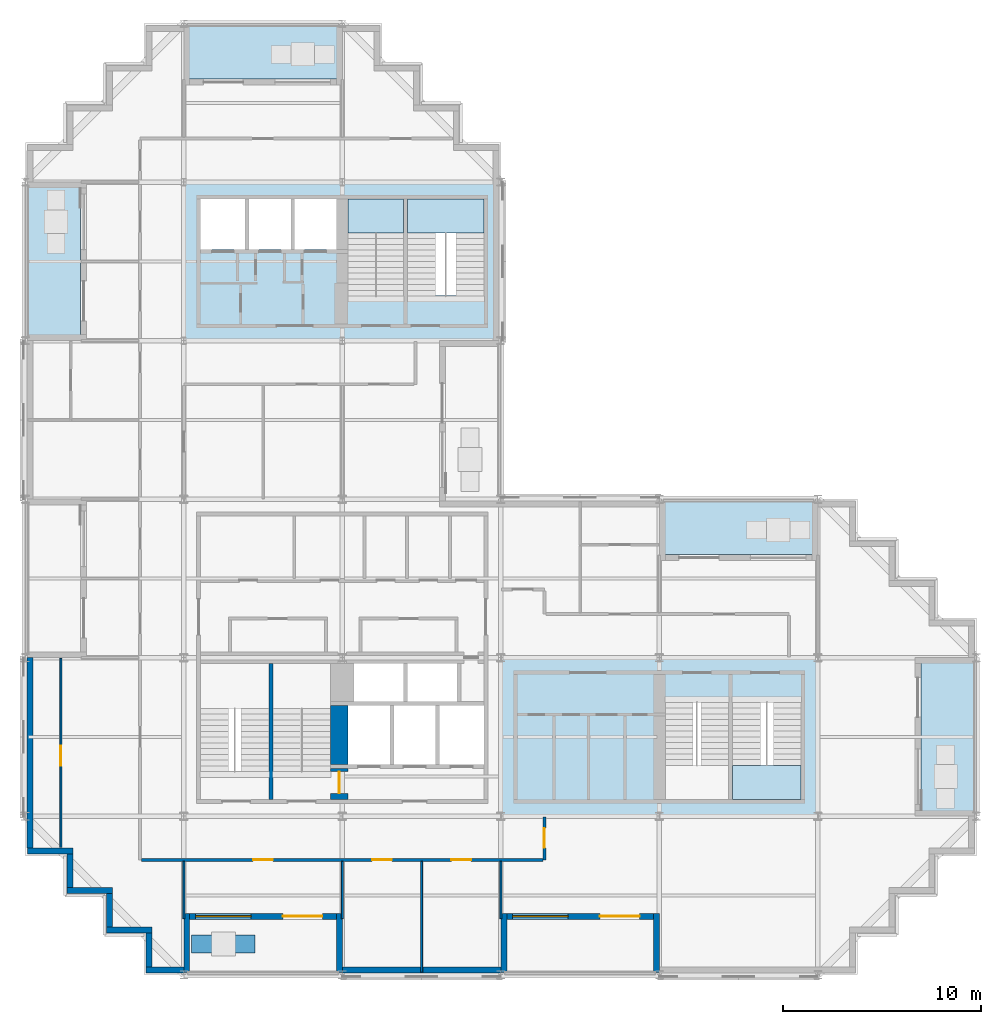
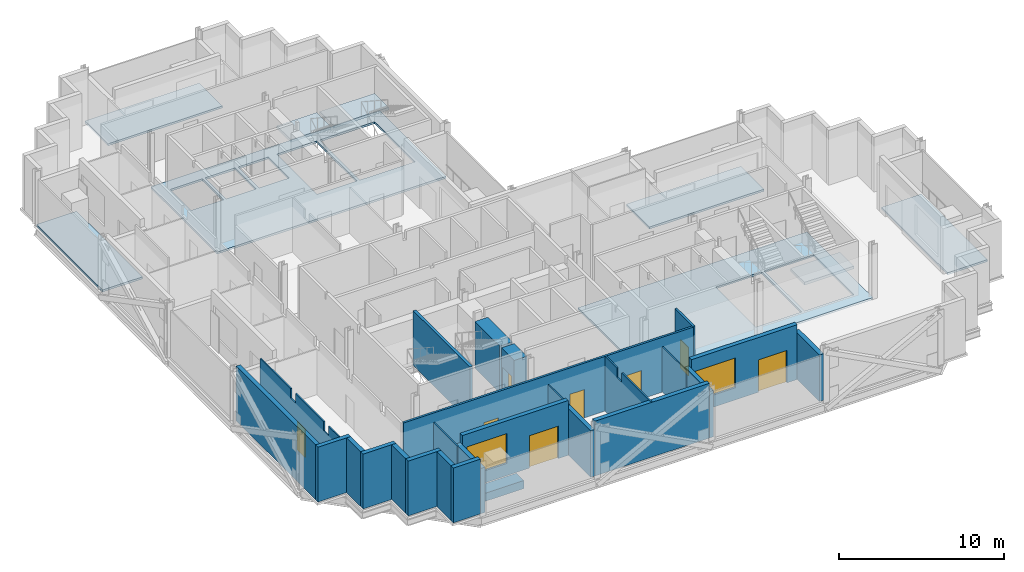
# One storey, part 4 of 13: 26 walls, 9 slabs, 8 doors, 2 windows, 10 openings, 3 elements without a shape of their own.
"""IFC4 building model written with IfcOpenShell, lengths in metres."""

from ifc_helpers import new_model, si_unit, direction, frame, frame_2d, origin, place, context, subcontext, project, spatial, polyline, rectangle, outline, extrude, material, layer, layer_set, type_object, element, fill, aggregate, save


model = new_model("IFC4")

# Units and contexts
model_context = context("Model", 3, precision=1e-05, world=origin(), true_north=direction((0.0, 1.0)))
body_context = subcontext(model_context, "Body", "Model", "MODEL_VIEW")
ifc_project = project(units=[si_unit("LENGTHUNIT", "METRE"), si_unit("AREAUNIT", "SQUARE_METRE"), si_unit("VOLUMEUNIT", "CUBIC_METRE"), si_unit("PLANEANGLEUNIT", "RADIAN"), si_unit("MASSUNIT", "GRAM", prefix="KILO")], contexts=[model_context])

# Site, building, storey
site_placement = place(None, origin())
site = spatial("IfcSite", under=ifc_project, at=site_placement, CompositionType="ELEMENT")
building_placement = place(site_placement, origin())
building = spatial("IfcBuilding", under=site, at=building_placement, Name="Immortelle Media Tower", CompositionType="ELEMENT")
storey_placement = place(building_placement, frame((0.0, 0.0, 166.199951171875)))
storey = spatial("IfcBuildingStorey", under=building, at=storey_placement, Name="L34", CompositionType="ELEMENT", Elevation=166.199951171875)

# Slabs
ifc_material_1 = material(Name="Concrete C50/60 composite deck", Category="concrete")
ifc_layer_1 = layer(ifc_material_1, 0.14990234375)
ifc_layer_set_1 = layer_set([ifc_layer_1], Name="Concrete C50/60 composite deck")
slab_type_1 = type_object("IfcSlabType", Name="Balcony slab 150", PredefinedType="FLOOR", material=ifc_layer_set_1)
slab_1_placement = place(storey_placement, frame((0.0, 0.0, -0.14990234375)))
element("IfcSlab", 1, at=slab_1_placement, inside=storey, type_object=slab_type_1, Name="Balcony slab L34 E0", PredefinedType="FLOOR", context=body_context, shape_type="SweptSolid", body=[
    extrude(outline(polyline([(48.0, 8.0), (48.0, 16.0), (45.199951171875, 16.0), (45.199951171875, 8.0), (48.0, 8.0)])), origin(), (0.0, 0.0, 1.0), 0.14990234375),
])
slab_2_placement = place(storey_placement, frame((0.0, 0.0, -0.14990234375)))
element("IfcSlab", 2, at=slab_2_placement, inside=storey, type_object=slab_type_1, Name="Balcony slab L34 N0", PredefinedType="FLOOR", context=body_context, shape_type="SweptSolid", body=[
    extrude(outline(polyline([(40.0, 21.199951171875), (40.0, 24.0), (32.0, 24.0), (32.0, 21.199951171875), (40.0, 21.199951171875)])), origin(), (0.0, 0.0, 1.0), 0.14990234375),
])
slab_3_placement = place(storey_placement, frame((0.0, 0.0, -0.14990234375)))
element("IfcSlab", 3, at=slab_3_placement, inside=storey, type_object=slab_type_1, Name="Balcony slab L34 N0", PredefinedType="FLOOR", context=body_context, shape_type="SweptSolid", body=[
    extrude(outline(polyline([(16.0, 45.199951171875), (16.0, 48.0), (8.0, 48.0), (8.0, 45.199951171875), (16.0, 45.199951171875)])), origin(), (0.0, 0.0, 1.0), 0.14990234375),
])
slab_4_placement = place(storey_placement, frame((0.0, 0.0, -0.14990234375)))
element("IfcSlab", 4, at=slab_4_placement, inside=storey, type_object=slab_type_1, Name="Balcony slab L34 W0", PredefinedType="FLOOR", context=body_context, shape_type="SweptSolid", body=[
    extrude(outline(polyline([(2.800048828125, 32.0), (2.800048828125, 40.0), (0.0, 40.0), (0.0, 32.0), (2.800048828125, 32.0)])), origin(), (0.0, 0.0, 1.0), 0.14990234375),
])
ifc_material_2 = material(Name="Concrete C50/60", Category="concrete")
ifc_layer_2 = layer(ifc_material_2, 0.14990234375)
ifc_layer_set_2 = layer_set([ifc_layer_2], Name="Concrete C50/60")
slab_type_2 = type_object("IfcSlabType", Name="Core floor slab 150", PredefinedType="FLOOR", material=ifc_layer_set_2)
slab_5_placement = place(storey_placement, frame((0.0, 0.0, -0.14990234375)))
element("IfcSlab", 5, at=slab_5_placement, inside=storey, type_object=slab_type_2, Name="Core floor SE", PredefinedType="FLOOR", context=body_context, shape_type="SweptSolid", body=[
    extrude(outline(polyline([(24.0, 8.0), (40.0, 8.0), (40.0, 16.0), (24.0, 16.0), (24.0, 8.0)]), holes=[polyline([(32.300048828125, 8.85009765625), (35.5, 8.85009765625), (35.5, 13.72998046875), (32.300048828125, 13.72998046875), (32.300048828125, 8.85009765625)]), polyline([(35.699951171875, 8.85009765625), (39.14990234375, 8.85009765625), (39.14990234375, 13.72998046875), (35.699951171875, 13.72998046875), (35.699951171875, 8.85009765625)])]), origin(), (0.0, 0.0, 1.0), 0.14990234375),
])
slab_6_placement = place(storey_placement, frame((0.0, 0.0, -0.14990234375)))
element("IfcSlab", 6, at=slab_6_placement, inside=storey, type_object=slab_type_2, Name="Core floor NW", PredefinedType="FLOOR", context=body_context, shape_type="SweptSolid", body=[
    extrude(outline(polyline([(8.0, 32.0), (24.0, 32.0), (24.0, 40.0), (8.0, 40.0), (8.0, 32.0)]), holes=[polyline([(8.85009765625, 36.60009765625), (11.10009765625, 36.60009765625), (11.10009765625, 39.14990234375), (8.85009765625, 39.14990234375), (8.85009765625, 36.60009765625)]), polyline([(11.300048828125, 36.60009765625), (13.39990234375, 36.60009765625), (13.39990234375, 39.14990234375), (11.300048828125, 39.14990234375), (11.300048828125, 36.60009765625)]), polyline([(13.60009765625, 36.60009765625), (15.699951171875, 36.60009765625), (15.699951171875, 39.14990234375), (13.60009765625, 39.14990234375), (13.60009765625, 36.60009765625)]), polyline([(16.300048828125, 34.27001953125), (19.10009765625, 34.27001953125), (19.10009765625, 39.14990234375), (16.300048828125, 39.14990234375), (16.300048828125, 34.27001953125)]), polyline([(19.300048828125, 34.27001953125), (23.14990234375, 34.27001953125), (23.14990234375, 39.14990234375), (19.300048828125, 39.14990234375), (19.300048828125, 34.27001953125)])]), origin(), (0.0, 0.0, 1.0), 0.14990234375),
])

# Stair, slab
ifc_material_3 = material(Name="Steel ASTM A992 Gr 50", Category="steel")
stair_type = type_object("IfcStairType", Name="Stair with flights", PredefinedType="DOUBLE_RETURN_STAIR", material=ifc_material_3)
stair_1_placement = place(storey_placement, origin())
stair_1 = element("IfcStair", 7, at=stair_1_placement, inside=storey, type_object=stair_type, Name="Exit stair SE2", PredefinedType="DOUBLE_RETURN_STAIR")
ifc_material_4 = material(Name="Steel ASTM A572 Gr 50", Category="steel")
ifc_layer_3 = layer(ifc_material_4, 0.199951171875)
ifc_layer_set_3 = layer_set([ifc_layer_3], Name="Steel ASTM A572 Gr 50")
slab_type_3 = type_object("IfcSlabType", Name="Stair landing 200", PredefinedType="LANDING", material=ifc_layer_set_3)
slab_7_placement = place(storey_placement, frame((0.0, 0.0, 1.900146484375)))
slab_7 = element("IfcSlab", 8, at=slab_7_placement, type_object=slab_type_3, Name="ST SE2 landing 1", PredefinedType="LANDING", context=body_context, shape_type="SweptSolid", body=[
    extrude(outline(polyline([(35.699951171875, 8.85009765625), (39.14990234375, 8.85009765625), (39.14990234375, 10.56005859375), (35.699951171875, 10.56005859375), (35.699951171875, 8.85009765625)])), origin(), (0.0, 0.0, 1.0), 0.199951171875),
])
aggregate(stair_1, [slab_7])

stair_2_placement = place(storey_placement, origin())
stair_2 = element("IfcStair", 9, at=stair_2_placement, inside=storey, type_object=stair_type, Name="Exit stair NW1", PredefinedType="DOUBLE_RETURN_STAIR")
slab_8_placement = place(storey_placement, frame((0.0, 0.0, 1.900146484375)))
slab_8 = element("IfcSlab", 10, at=slab_8_placement, type_object=slab_type_3, Name="ST NW1 landing 1", PredefinedType="LANDING", context=body_context, shape_type="SweptSolid", body=[
    extrude(outline(polyline([(16.300048828125, 37.43994140625), (19.10009765625, 37.43994140625), (19.10009765625, 39.14990234375), (16.300048828125, 39.14990234375), (16.300048828125, 37.43994140625)])), origin(), (0.0, 0.0, 1.0), 0.199951171875),
])
aggregate(stair_2, [slab_8])

stair_3_placement = place(storey_placement, origin())
stair_3 = element("IfcStair", 11, at=stair_3_placement, inside=storey, type_object=stair_type, Name="Exit stair NW2", PredefinedType="DOUBLE_RETURN_STAIR")
slab_9_placement = place(storey_placement, frame((0.0, 0.0, 1.900146484375)))
slab_9 = element("IfcSlab", 12, at=slab_9_placement, type_object=slab_type_3, Name="ST NW2 landing 1", PredefinedType="LANDING", context=body_context, shape_type="SweptSolid", body=[
    extrude(outline(polyline([(19.300048828125, 37.43994140625), (23.14990234375, 37.43994140625), (23.14990234375, 39.14990234375), (19.300048828125, 39.14990234375), (19.300048828125, 37.43994140625)])), origin(), (0.0, 0.0, 1.0), 0.199951171875),
])
aggregate(stair_3, [slab_9])

# Wall, openings, doors
ifc_material_5 = material(Name="Fire-rated gypsum board", Category="gypsum")
ifc_layer_4 = layer(ifc_material_5, 0.012451171875)
ifc_material_6 = material(Name="Steel ASTM A653 SS Gr 50 stud frame with mineral wool", Category="steel")
ifc_layer_5 = layer(ifc_material_6, 0.125)
ifc_layer_6 = layer(ifc_material_5, 0.012451171875)
ifc_layer_set_4 = layer_set([ifc_layer_4, ifc_layer_5, ifc_layer_6], Name="Steel ASTM A653 SS Gr 50 stud frame with mineral wool")
wall_type_1 = type_object("IfcWallType", Name="Corridor wall 150", PredefinedType="PARTITIONING", material=ifc_layer_set_4)
wall_1_placement = place(storey_placement, frame((5.875, 5.800048828125, 0.0), z_axis=(0.0, 0.0, 1.0), x_axis=(1.0, 0.0, 0.0)))
wall_1 = element("IfcWall", 13, at=wall_1_placement, inside=storey, type_object=wall_type_1, Name="Partition L34-005", PredefinedType="PARTITIONING", context=body_context, shape_type="SweptSolid", body=[
    extrude(rectangle(XDim=20.25, YDim=0.14990234375, at=frame_2d((10.125, 0.0))), origin(), (0.0, 0.0, 1.0), 4.050048828125),
])
opening_1_placement = place(wall_1_placement, frame((12.625, 0.0, 0.0), z_axis=(0.0, 0.0, 1.0), x_axis=(-1.0, 0.0, 0.0)))
opening_1 = element("IfcOpeningElement", 14, at=opening_1_placement, cuts=wall_1, Name="Opening C5-F001", PredefinedType="OPENING", context=body_context, shape_type="SweptSolid", body=[
    extrude(rectangle(XDim=1.0, YDim=2.10009765625, at=frame_2d((0.5, 1.050048828125))), frame((0.0, 0.0849609375, 0.0), z_axis=(0.0, -1.0, 0.0), x_axis=(1.0, 0.0, 0.0)), (0.0, 0.0, 1.0), 0.169921875),
])
opening_2_placement = place(wall_1_placement, frame((16.625, 0.0, 0.0), z_axis=(0.0, 0.0, 1.0), x_axis=(-1.0, 0.0, 0.0)))
opening_2 = element("IfcOpeningElement", 15, at=opening_2_placement, cuts=wall_1, Name="Opening C5-F002", PredefinedType="OPENING", context=body_context, shape_type="SweptSolid", body=[
    extrude(rectangle(XDim=1.0, YDim=2.10009765625, at=frame_2d((0.5, 1.050048828125))), frame((0.0, 0.0849609375, 0.0), z_axis=(0.0, -1.0, 0.0), x_axis=(1.0, 0.0, 0.0)), (0.0, 0.0, 1.0), 0.169921875),
])
opening_3_placement = place(wall_1_placement, frame((6.625, 0.0, 0.0), z_axis=(0.0, 0.0, 1.0), x_axis=(-1.0, 0.0, 0.0)))
opening_3 = element("IfcOpeningElement", 16, at=opening_3_placement, cuts=wall_1, Name="Opening C5-F003", PredefinedType="OPENING", context=body_context, shape_type="SweptSolid", body=[
    extrude(rectangle(XDim=1.0, YDim=2.10009765625, at=frame_2d((0.5, 1.050048828125))), frame((0.0, 0.0849609375, 0.0), z_axis=(0.0, -1.0, 0.0), x_axis=(1.0, 0.0, 0.0)), (0.0, 0.0, 1.0), 0.169921875),
])
ifc_material_7 = material(Name="Timber veneered door leaf, galvanised steel frame ASTM A653", Category="steel")
door_type_1 = type_object("IfcDoorType", Name="Room door 1000 x 2100", OperationType="NOTDEFINED", PredefinedType="DOOR", material=ifc_material_7)
door_1_placement = place(opening_1_placement, origin())
door_1 = element("IfcDoor", 17, at=door_1_placement, inside=storey, type_object=door_type_1, Name="Door C5-F001", OperationType="SINGLE_SWING_LEFT", OverallHeight=2.10009765625, OverallWidth=1.0, PredefinedType="DOOR", context=body_context, shape_type="SweptSolid", body=[
    extrude(rectangle(XDim=1.0, YDim=2.10009765625, at=frame_2d((0.5, 1.050048828125))), frame((0.0, 0.02490234375, 0.0), z_axis=(0.0, -1.0, 0.0), x_axis=(1.0, 0.0, 0.0)), (0.0, 0.0, 1.0), 0.050048828125),
])
fill(opening_1, door_1)
door_2_placement = place(opening_2_placement, origin())
door_2 = element("IfcDoor", 18, at=door_2_placement, inside=storey, type_object=door_type_1, Name="Door C5-F002", OperationType="SINGLE_SWING_RIGHT", OverallHeight=2.10009765625, OverallWidth=1.0, PredefinedType="DOOR", context=body_context, shape_type="SweptSolid", body=[
    extrude(rectangle(XDim=1.0, YDim=2.10009765625, at=frame_2d((0.5, 1.050048828125))), frame((0.0, 0.02490234375, 0.0), z_axis=(0.0, -1.0, 0.0), x_axis=(1.0, 0.0, 0.0)), (0.0, 0.0, 1.0), 0.050048828125),
])
fill(opening_2, door_2)
door_3_placement = place(opening_3_placement, origin())
door_3 = element("IfcDoor", 19, at=door_3_placement, inside=storey, type_object=door_type_1, Name="Door C5-F003", OperationType="SINGLE_SWING_RIGHT", OverallHeight=2.10009765625, OverallWidth=1.0, PredefinedType="DOOR", context=body_context, shape_type="SweptSolid", body=[
    extrude(rectangle(XDim=1.0, YDim=2.10009765625, at=frame_2d((0.5, 1.050048828125))), frame((0.0, 0.02490234375, 0.0), z_axis=(0.0, -1.0, 0.0), x_axis=(1.0, 0.0, 0.0)), (0.0, 0.0, 1.0), 0.050048828125),
])
fill(opening_3, door_3)

# Wall, opening, door
wall_2_placement = place(storey_placement, frame((26.199951171875, 5.800048828125, 0.0), z_axis=(0.0, 0.0, 1.0), x_axis=(0.0, 1.0, 0.0)))
wall_2 = element("IfcWall", 20, at=wall_2_placement, inside=storey, type_object=wall_type_1, Name="Partition L34-007", PredefinedType="PARTITIONING", context=body_context, shape_type="SweptSolid", body=[
    extrude(rectangle(XDim=2.169921875, YDim=0.14990234375, at=frame_2d((1.0849609375, 0.0))), origin(), (0.0, 0.0, 1.0), 4.050048828125),
])
opening_4_placement = place(wall_2_placement, frame((1.60009765625, 0.0, 0.0), z_axis=(0.0, 0.0, 1.0), x_axis=(-1.0, 0.0, 0.0)))
opening_4 = element("IfcOpeningElement", 21, at=opening_4_placement, cuts=wall_2, Name="Opening C5-F004", PredefinedType="OPENING", context=body_context, shape_type="SweptSolid", body=[
    extrude(rectangle(XDim=1.0, YDim=2.10009765625, at=frame_2d((0.5, 1.050048828125))), frame((0.0, 0.0849609375, 0.0), z_axis=(0.0, -1.0, 0.0), x_axis=(1.0, 0.0, 0.0)), (0.0, 0.0, 1.0), 0.169921875),
])
door_4_placement = place(opening_4_placement, origin())
door_4 = element("IfcDoor", 22, at=door_4_placement, inside=storey, type_object=door_type_1, Name="Door C5-F004", OperationType="SINGLE_SWING_LEFT", OverallHeight=2.10009765625, OverallWidth=1.0, PredefinedType="DOOR", context=body_context, shape_type="SweptSolid", body=[
    extrude(rectangle(XDim=1.0, YDim=2.10009765625, at=frame_2d((0.5, 1.050048828125))), frame((0.0, 0.02490234375, 0.0), z_axis=(0.0, -1.0, 0.0), x_axis=(1.0, 0.0, 0.0)), (0.0, 0.0, 1.0), 0.050048828125),
])
fill(opening_4, door_4)

# Walls
ifc_material_8 = material(Name="Pale aluminium cladding panel", Category="aluminium")
ifc_layer_7 = layer(ifc_material_8, 0.030029296875)
ifc_layer_8 = layer(ifc_material_6, 0.257568359375)
ifc_material_9 = material(Name="Moisture-resistant gypsum board", Category="gypsum")
ifc_layer_9 = layer(ifc_material_9, 0.012451171875)
ifc_layer_set_5 = layer_set([ifc_layer_7, ifc_layer_8, ifc_layer_9], Name="Steel ASTM A653 SS Gr 50 stud frame with mineral wool")
wall_type_2 = type_object("IfcWallType", Name="Facade wall 300", PredefinedType="SOLIDWALL", material=ifc_layer_set_5)
wall_3_placement = place(storey_placement, frame((0.10009765625, 6.25, 0.0), z_axis=(0.0, 0.0, 1.0), x_axis=(1.0, 0.0, 0.0)))
element("IfcWall", 23, at=wall_3_placement, inside=storey, type_object=wall_type_2, Name="Facade wall L34 S0", PredefinedType="SOLIDWALL", context=body_context, shape_type="SweptSolid", body=[
    extrude(rectangle(XDim=2.2998046875, YDim=0.300048828125, at=frame_2d((1.14990234375, 0.0))), origin(), (0.0, 0.0, 1.0), 4.050048828125),
])
wall_4_placement = place(storey_placement, frame((2.25, 6.10009765625, 0.0), z_axis=(0.0, 0.0, 1.0), x_axis=(0.0, -1.0, 0.0)))
element("IfcWall", 24, at=wall_4_placement, inside=storey, type_object=wall_type_2, Name="Facade wall L34 W1", PredefinedType="SOLIDWALL", context=body_context, shape_type="SweptSolid", body=[
    extrude(rectangle(XDim=1.7001953125, YDim=0.300048828125, at=frame_2d((0.85009765625, 0.0))), origin(), (0.0, 0.0, 1.0), 4.050048828125),
])
wall_5_placement = place(storey_placement, frame((2.10009765625, 4.25, 0.0), z_axis=(0.0, 0.0, 1.0), x_axis=(1.0, 0.0, 0.0)))
element("IfcWall", 25, at=wall_5_placement, inside=storey, type_object=wall_type_2, Name="Facade wall L34 S2", PredefinedType="SOLIDWALL", context=body_context, shape_type="SweptSolid", body=[
    extrude(rectangle(XDim=2.2998046875, YDim=0.300048828125, at=frame_2d((1.14990234375, 0.0))), origin(), (0.0, 0.0, 1.0), 4.050048828125),
])
wall_6_placement = place(storey_placement, frame((4.25, 4.10009765625, 0.0), z_axis=(0.0, 0.0, 1.0), x_axis=(0.0, -1.0, 0.0)))
element("IfcWall", 26, at=wall_6_placement, inside=storey, type_object=wall_type_2, Name="Facade wall L34 W3", PredefinedType="SOLIDWALL", context=body_context, shape_type="SweptSolid", body=[
    extrude(rectangle(XDim=1.7001953125, YDim=0.300048828125, at=frame_2d((0.85009765625, 0.0))), origin(), (0.0, 0.0, 1.0), 4.050048828125),
])
wall_7_placement = place(storey_placement, frame((4.10009765625, 2.25, 0.0), z_axis=(0.0, 0.0, 1.0), x_axis=(1.0, 0.0, 0.0)))
element("IfcWall", 27, at=wall_7_placement, inside=storey, type_object=wall_type_2, Name="Facade wall L34 S4", PredefinedType="SOLIDWALL", context=body_context, shape_type="SweptSolid", body=[
    extrude(rectangle(XDim=2.2998046875, YDim=0.300048828125, at=frame_2d((1.14990234375, 0.0))), origin(), (0.0, 0.0, 1.0), 4.050048828125),
])
wall_8_placement = place(storey_placement, frame((6.25, 2.10009765625, 0.0), z_axis=(0.0, 0.0, 1.0), x_axis=(0.0, -1.0, 0.0)))
element("IfcWall", 28, at=wall_8_placement, inside=storey, type_object=wall_type_2, Name="Facade wall L34 W5", PredefinedType="SOLIDWALL", context=body_context, shape_type="SweptSolid", body=[
    extrude(rectangle(XDim=1.7001953125, YDim=0.300048828125, at=frame_2d((0.85009765625, 0.0))), origin(), (0.0, 0.0, 1.0), 4.050048828125),
])
wall_9_placement = place(storey_placement, frame((6.10009765625, 0.25, 0.0), z_axis=(0.0, 0.0, 1.0), x_axis=(1.0, 0.0, 0.0)))
element("IfcWall", 29, at=wall_9_placement, inside=storey, type_object=wall_type_2, Name="Facade wall L34 S6", PredefinedType="SOLIDWALL", context=body_context, shape_type="SweptSolid", body=[
    extrude(rectangle(XDim=1.89990234375, YDim=0.300048828125, at=frame_2d((0.949951171875, 0.0))), origin(), (0.0, 0.0, 1.0), 4.050048828125),
])

# Wall, openings, door, window
wall_10_placement = place(storey_placement, frame((8.300048828125, 2.949951171875, 0.0), z_axis=(0.0, 0.0, 1.0), x_axis=(1.0, 0.0, 0.0)))
wall_10 = element("IfcWall", 30, at=wall_10_placement, inside=storey, type_object=wall_type_2, Name="Loggia wall L34 S6", PredefinedType="SOLIDWALL", context=body_context, shape_type="SweptSolid", body=[
    extrude(rectangle(XDim=7.39990234375, YDim=0.300048828125, at=frame_2d((3.699951171875, 0.0))), origin(), (0.0, 0.0, 1.0), 4.050048828125),
])
opening_5_placement = place(wall_10_placement, frame((0.300048828125, 0.0, 0.89990234375)))
opening_5 = element("IfcOpeningElement", 31, at=opening_5_placement, cuts=wall_10, Name="Opening W1", PredefinedType="OPENING", context=body_context, shape_type="SweptSolid", body=[
    extrude(rectangle(XDim=2.800048828125, YDim=2.199951171875, at=frame_2d((1.39990234375, 1.10009765625))), frame((0.0, 0.159912109375, 0.0), z_axis=(0.0, -1.0, 0.0), x_axis=(1.0, 0.0, 0.0)), (0.0, 0.0, 1.0), 0.320068359375),
])
opening_6_placement = place(wall_10_placement, frame((4.699951171875, 0.0, 0.0)))
opening_6 = element("IfcOpeningElement", 32, at=opening_6_placement, cuts=wall_10, Name="Opening C5-E001", PredefinedType="OPENING", context=body_context, shape_type="SweptSolid", body=[
    extrude(rectangle(XDim=2.0, YDim=2.39990234375, at=frame_2d((1.0, 1.199951171875))), frame((0.0, 0.159912109375, 0.0), z_axis=(0.0, -1.0, 0.0), x_axis=(1.0, 0.0, 0.0)), (0.0, 0.0, 1.0), 0.320068359375),
])
ifc_material_10 = material(Name="Aluminium frame, glazed leaves", Category="aluminium")
door_type_2 = type_object("IfcDoorType", Name="Loggia door 2000 x 2400", OperationType="DOUBLE_DOOR_SINGLE_SWING", PredefinedType="DOOR", material=ifc_material_10)
door_5_placement = place(opening_6_placement, origin())
door_5 = element("IfcDoor", 33, at=door_5_placement, inside=storey, type_object=door_type_2, Name="Door C5-E001", OperationType="DOUBLE_DOOR_SINGLE_SWING", OverallHeight=2.39990234375, OverallWidth=2.0, PredefinedType="DOOR", context=body_context, shape_type="SweptSolid", body=[
    extrude(rectangle(XDim=2.0, YDim=2.39990234375, at=frame_2d((1.0, 1.199951171875))), frame((0.0, 0.02490234375, 0.0), z_axis=(0.0, -1.0, 0.0), x_axis=(1.0, 0.0, 0.0)), (0.0, 0.0, 1.0), 0.050048828125),
])
fill(opening_6, door_5)
ifc_material_11 = material(Name="Aluminium frame", Category="aluminium")
window_type = type_object("IfcWindowType", Name="Window 2800 x 2200", PartitioningType="SINGLE_PANEL", PredefinedType="WINDOW", material=ifc_material_11)
window_1_placement = place(opening_5_placement, origin())
window_1 = element("IfcWindow", 34, at=window_1_placement, inside=storey, type_object=window_type, Name="Window L34 L34-R6-B0", OverallHeight=2.199951171875, OverallWidth=2.800048828125, PartitioningType="SINGLE_PANEL", PredefinedType="WINDOW", context=body_context, shape_type="SweptSolid", body=[
    extrude(rectangle(XDim=2.800048828125, YDim=2.199951171875, at=frame_2d((1.39990234375, 1.10009765625))), frame((0.0, 0.030029296875, 0.0), z_axis=(0.0, -1.0, 0.0), x_axis=(1.0, 0.0, 0.0)), (0.0, 0.0, 1.0), 0.06005859375),
])
fill(opening_5, window_1)

# Walls
wall_11_placement = place(storey_placement, frame((8.14990234375, 0.10009765625, 0.0), z_axis=(0.0, 0.0, 1.0), x_axis=(0.0, 1.0, 0.0)))
element("IfcWall", 35, at=wall_11_placement, inside=storey, type_object=wall_type_2, Name="Loggia cheek wall L34 S", PredefinedType="SOLIDWALL", context=body_context, shape_type="SweptSolid", body=[
    extrude(rectangle(XDim=3.0, YDim=0.300048828125, at=frame_2d((1.5, 0.0))), origin(), (0.0, 0.0, 1.0), 3.35302734375),
])
wall_12_placement = place(storey_placement, frame((15.85009765625, 0.10009765625, 0.0), z_axis=(0.0, 0.0, 1.0), x_axis=(0.0, 1.0, 0.0)))
element("IfcWall", 36, at=wall_12_placement, inside=storey, type_object=wall_type_2, Name="Loggia cheek wall L34 S", PredefinedType="SOLIDWALL", context=body_context, shape_type="SweptSolid", body=[
    extrude(rectangle(XDim=3.0, YDim=0.300048828125, at=frame_2d((1.5, 0.0))), origin(), (0.0, 0.0, 1.0), 3.43701171875),
])
wall_13_placement = place(storey_placement, frame((16.0, 0.25, 0.0), z_axis=(0.0, 0.0, 1.0), x_axis=(1.0, 0.0, 0.0)))
element("IfcWall", 37, at=wall_13_placement, inside=storey, type_object=wall_type_2, Name="Facade wall L34 S6", PredefinedType="SOLIDWALL", context=body_context, shape_type="SweptSolid", body=[
    extrude(rectangle(XDim=8.0, YDim=0.300048828125, at=frame_2d((4.0, 0.0))), origin(), (0.0, 0.0, 1.0), 4.050048828125),
])

# Wall, openings, door, window
wall_14_placement = place(storey_placement, frame((24.300048828125, 2.949951171875, 0.0), z_axis=(0.0, 0.0, 1.0), x_axis=(1.0, 0.0, 0.0)))
wall_14 = element("IfcWall", 38, at=wall_14_placement, inside=storey, type_object=wall_type_2, Name="Loggia wall L34 S6", PredefinedType="SOLIDWALL", context=body_context, shape_type="SweptSolid", body=[
    extrude(rectangle(XDim=7.39990234375, YDim=0.300048828125, at=frame_2d((3.699951171875, 0.0))), origin(), (0.0, 0.0, 1.0), 4.050048828125),
])
opening_7_placement = place(wall_14_placement, frame((0.300048828125, 0.0, 0.89990234375)))
opening_7 = element("IfcOpeningElement", 39, at=opening_7_placement, cuts=wall_14, Name="Opening W1", PredefinedType="OPENING", context=body_context, shape_type="SweptSolid", body=[
    extrude(rectangle(XDim=2.800048828125, YDim=2.199951171875, at=frame_2d((1.39990234375, 1.10009765625))), frame((0.0, 0.159912109375, 0.0), z_axis=(0.0, -1.0, 0.0), x_axis=(1.0, 0.0, 0.0)), (0.0, 0.0, 1.0), 0.320068359375),
])
opening_8_placement = place(wall_14_placement, frame((4.699951171875, 0.0, 0.0)))
opening_8 = element("IfcOpeningElement", 40, at=opening_8_placement, cuts=wall_14, Name="Opening C5-E002", PredefinedType="OPENING", context=body_context, shape_type="SweptSolid", body=[
    extrude(rectangle(XDim=2.0, YDim=2.39990234375, at=frame_2d((1.0, 1.199951171875))), frame((0.0, 0.159912109375, 0.0), z_axis=(0.0, -1.0, 0.0), x_axis=(1.0, 0.0, 0.0)), (0.0, 0.0, 1.0), 0.320068359375),
])
door_6_placement = place(opening_8_placement, origin())
door_6 = element("IfcDoor", 41, at=door_6_placement, inside=storey, type_object=door_type_2, Name="Door C5-E002", OperationType="DOUBLE_DOOR_SINGLE_SWING", OverallHeight=2.39990234375, OverallWidth=2.0, PredefinedType="DOOR", context=body_context, shape_type="SweptSolid", body=[
    extrude(rectangle(XDim=2.0, YDim=2.39990234375, at=frame_2d((1.0, 1.199951171875))), frame((0.0, 0.02490234375, 0.0), z_axis=(0.0, -1.0, 0.0), x_axis=(1.0, 0.0, 0.0)), (0.0, 0.0, 1.0), 0.050048828125),
])
fill(opening_8, door_6)
window_2_placement = place(opening_7_placement, origin())
window_2 = element("IfcWindow", 42, at=window_2_placement, inside=storey, type_object=window_type, Name="Window L34 L34-R6-B2", OverallHeight=2.199951171875, OverallWidth=2.800048828125, PartitioningType="SINGLE_PANEL", PredefinedType="WINDOW", context=body_context, shape_type="SweptSolid", body=[
    extrude(rectangle(XDim=2.800048828125, YDim=2.199951171875, at=frame_2d((1.39990234375, 1.10009765625))), frame((0.0, 0.030029296875, 0.0), z_axis=(0.0, -1.0, 0.0), x_axis=(1.0, 0.0, 0.0)), (0.0, 0.0, 1.0), 0.06005859375),
])
fill(opening_7, window_2)

# Walls
for number, where, z_axis, x_axis, name in (
    (43, (24.14990234375, 0.10009765625, 0.0), (0.0, 0.0, 1.0), (0.0, 1.0, 0.0), "Loggia cheek wall L34 S"),
    (44, (31.85009765625, 0.10009765625, 0.0), (0.0, 0.0, 1.0), (0.0, 1.0, 0.0), "Loggia cheek wall L34 S"),
):
    element("IfcWall", number, at=place(storey_placement, frame(where, z_axis=z_axis, x_axis=x_axis)), inside=storey, type_object=wall_type_2, Name=name, PredefinedType="SOLIDWALL", context=body_context, shape_type="SweptSolid", body=[
        extrude(rectangle(XDim=3.0, YDim=0.300048828125, at=frame_2d((1.5, 0.0))), origin(), (0.0, 0.0, 1.0), 3.43701171875),
    ])
wall_15_placement = place(storey_placement, frame((0.25, 16.0, 0.0), z_axis=(0.0, 0.0, 1.0), x_axis=(0.0, -1.0, 0.0)))
element("IfcWall", 45, at=wall_15_placement, inside=storey, type_object=wall_type_2, Name="Facade wall L34 W35", PredefinedType="SOLIDWALL", context=body_context, shape_type="SweptSolid", body=[
    extrude(rectangle(XDim=9.60009765625, YDim=0.300048828125, at=frame_2d((4.800048828125, 0.0))), origin(), (0.0, 0.0, 1.0), 4.050048828125),
])
ifc_material_12 = material(Name="Gypsum board", Category="gypsum")
ifc_layer_10 = layer(ifc_material_12, 0.012451171875)
ifc_layer_11 = layer(ifc_material_6, 0.074951171875)
ifc_layer_12 = layer(ifc_material_12, 0.012451171875)
ifc_layer_set_6 = layer_set([ifc_layer_10, ifc_layer_11, ifc_layer_12], Name="Steel ASTM A653 SS Gr 50 stud frame with mineral wool")
wall_type_3 = type_object("IfcWallType", Name="Partition 100", PredefinedType="PARTITIONING", material=ifc_layer_set_6)
wall_16_placement = place(storey_placement, frame((20.0, 0.1298828125, 0.0), z_axis=(0.0, 0.0, 1.0), x_axis=(0.0, 1.0, 0.0)))
element("IfcWall", 46, at=wall_16_placement, inside=storey, type_object=wall_type_3, Name="Partition L34-001", PredefinedType="PARTITIONING", context=body_context, shape_type="SweptSolid", body=[
    extrude(outline(polyline([(0.0, 0.0), (5.59521484375, 0.0), (5.594970703125, 4.050048828125), (4.169921875, 4.050048828125), (4.16796875, 3.35400390625), (3.572021484375, 3.35400390625), (3.570068359375, 4.050048828125), (0.0, 4.050048828125), (0.0, 0.0)])), frame((0.0, 0.050048828125, 0.0), z_axis=(0.0, -1.0, 0.0), x_axis=(1.0, 0.0, 0.0)), (0.0, 0.0, 1.0), 0.10009765625),
])
for number, where, z_axis, x_axis, name in (
    (47, (8.0, 2.830078125, 0.0), (0.0, 0.0, 1.0), (0.0, 1.0, 0.0), "Partition L34-002"),
    (48, (16.0, 2.830078125, 0.0), (0.0, 0.0, 1.0), (0.0, 1.0, 0.0), "Partition L34-003"),
    (49, (24.0, 2.830078125, 0.0), (0.0, 0.0, 1.0), (0.0, 1.0, 0.0), "Partition L34-004"),
):
    element("IfcWall", number, at=place(storey_placement, frame(where, z_axis=z_axis, x_axis=x_axis)), inside=storey, type_object=wall_type_3, Name=name, PredefinedType="PARTITIONING", context=body_context, shape_type="SweptSolid", body=[
        extrude(rectangle(XDim=2.89501953125, YDim=0.10009765625, at=frame_2d((1.447509765625, 0.0))), origin(), (0.0, 0.0, 1.0), 3.35400390625),
    ])

# Wall, opening, door
wall_17_placement = place(storey_placement, frame((1.800048828125, 6.429931640625, 0.0), z_axis=(0.0, 0.0, 1.0), x_axis=(0.0, 1.0, 0.0)))
wall_17 = element("IfcWall", 50, at=wall_17_placement, inside=storey, type_object=wall_type_3, Name="Partition L34-008", PredefinedType="PARTITIONING", context=body_context, shape_type="SweptSolid", body=[
    extrude(outline(polyline([(0.0, 0.0), (9.5400390625, 0.0), (9.5400390625, 4.050048828125), (5.8701171875, 4.050048828125), (5.867919921875, 3.35400390625), (5.27197265625, 3.35400390625), (5.27001953125, 4.050048828125), (1.8701171875, 4.050048828125), (1.867919921875, 3.35400390625), (1.27197265625, 3.35400390625), (1.27001953125, 4.050048828125), (0.0, 4.050048828125), (0.0, 0.0)])), frame((0.0, 0.050048828125, 0.0), z_axis=(0.0, -1.0, 0.0), x_axis=(1.0, 0.0, 0.0)), (0.0, 0.0, 1.0), 0.10009765625),
])
opening_9_placement = place(wall_17_placement, frame((5.1201171875, 0.0, 0.0), z_axis=(0.0, 0.0, 1.0), x_axis=(-1.0, 0.0, 0.0)))
opening_9 = element("IfcOpeningElement", 51, at=opening_9_placement, cuts=wall_17, Name="Opening C5-F006", PredefinedType="OPENING", context=body_context, shape_type="SweptSolid", body=[
    extrude(rectangle(XDim=1.0, YDim=2.10009765625, at=frame_2d((0.5, 1.050048828125))), frame((0.0, 0.06005859375, 0.0), z_axis=(0.0, -1.0, 0.0), x_axis=(1.0, 0.0, 0.0)), (0.0, 0.0, 1.0), 0.1201171875),
])
door_7_placement = place(opening_9_placement, origin())
door_7 = element("IfcDoor", 52, at=door_7_placement, inside=storey, type_object=door_type_1, Name="Door C5-F006", OperationType="SINGLE_SWING_LEFT", OverallHeight=2.10009765625, OverallWidth=1.0, PredefinedType="DOOR", context=body_context, shape_type="SweptSolid", body=[
    extrude(rectangle(XDim=1.0, YDim=2.10009765625, at=frame_2d((0.5, 1.050048828125))), frame((0.0, 0.02490234375, 0.0), z_axis=(0.0, -1.0, 0.0), x_axis=(1.0, 0.0, 0.0)), (0.0, 0.0, 1.0), 0.050048828125),
])
fill(opening_9, door_7)

# Walls
ifc_layer_13 = layer(ifc_material_8, 0.0029296875)
ifc_material_13 = material(Name="Steel ASTM A572 Gr 50 planter shell", Category="steel")
ifc_layer_14 = layer(ifc_material_13, 0.011962890625)
ifc_material_14 = material(Name="Planting substrate", Category="soil")
ifc_layer_15 = layer(ifc_material_14, 0.873046875)
ifc_layer_16 = layer(ifc_material_13, 0.011962890625)
ifc_layer_set_7 = layer_set([ifc_layer_13, ifc_layer_14, ifc_layer_15, ifc_layer_16], Name="Steel ASTM A572 Gr 50 planter shell")
wall_type_4 = type_object("IfcWallType", Name="Planter wall 900", PredefinedType="SOLIDWALL", material=ifc_layer_set_7)
wall_18_placement = place(storey_placement, frame((8.39990234375, 1.550048828125, 0.0), z_axis=(0.0, 0.0, 1.0), x_axis=(1.0, 0.0, 0.0)))
element("IfcWall", 53, at=wall_18_placement, inside=storey, type_object=wall_type_4, Name="Planter L34 S0", PredefinedType="SOLIDWALL", context=body_context, shape_type="SweptSolid", body=[
    extrude(rectangle(XDim=3.2001953125, YDim=0.89990234375, at=frame_2d((1.60009765625, 0.0))), origin(), (0.0, 0.0, 1.0), 0.60009765625),
])
ifc_material_15 = material(Name="Concrete C60", Category="concrete")
ifc_layer_17 = layer(ifc_material_15, 0.199951171875)
ifc_layer_set_8 = layer_set([ifc_layer_17], Name="Concrete C60")
wall_type_5 = type_object("IfcWallType", Name="Stair shaft wall 200", PredefinedType="PARTITIONING", material=ifc_layer_set_8)
wall_19_placement = place(storey_placement, frame((12.39990234375, 8.85009765625, 0.0), z_axis=(0.0, 0.0, 1.0), x_axis=(0.0, 1.0, 0.0)))
element("IfcWall", 54, at=wall_19_placement, inside=storey, type_object=wall_type_5, Name="Stair shaft wall SW", PredefinedType="PARTITIONING", context=body_context, shape_type="SweptSolid", body=[
    extrude(rectangle(XDim=6.849853515625, YDim=0.199951171875, at=frame_2d((3.4248046875, 0.0))), origin(), (0.0, 0.0, 1.0), 4.050048828125),
])

# Wall, opening, door
ifc_layer_18 = layer(ifc_material_15, 0.89990234375)
ifc_layer_set_9 = layer_set([ifc_layer_18], Name="Concrete C60")
wall_type_6 = type_object("IfcWallType", Name="Stair shaft wall 900", PredefinedType="PARTITIONING", material=ifc_layer_set_9)
wall_20_placement = place(storey_placement, frame((15.85009765625, 8.85009765625, 0.0), z_axis=(0.0, 0.0, 1.0), x_axis=(0.0, 1.0, 0.0)))
wall_20 = element("IfcWall", 55, at=wall_20_placement, inside=storey, type_object=wall_type_6, Name="Stair shaft wall SW", PredefinedType="PARTITIONING", context=body_context, shape_type="SweptSolid", body=[
    extrude(rectangle(XDim=1.5498046875, YDim=0.89990234375, at=frame_2d((0.77490234375, 0.0))), origin(), (0.0, 0.0, 1.0), 3.442138671875),
])
opening_10_placement = place(wall_20_placement, frame((0.300048828125, 0.0, 0.0)))
opening_10 = element("IfcOpeningElement", 56, at=opening_10_placement, cuts=wall_20, Name="Opening C5-K007", PredefinedType="OPENING", context=body_context, shape_type="SweptSolid", body=[
    extrude(rectangle(XDim=1.10009765625, YDim=2.10009765625, at=frame_2d((0.550048828125, 1.050048828125))), frame((0.0, 0.4599609375, 0.0), z_axis=(0.0, -1.0, 0.0), x_axis=(1.0, 0.0, 0.0)), (0.0, 0.0, 1.0), 0.919921875),
])
ifc_material_16 = material(Name="Galvanised steel door leaf and frame ASTM A653", Category="steel")
door_type_3 = type_object("IfcDoorType", Name="Stair lobby door 1100 x 2100", OperationType="NOTDEFINED", PredefinedType="NOTDEFINED", material=ifc_material_16)
door_8_placement = place(opening_10_placement, origin())
door_8 = element("IfcDoor", 57, at=door_8_placement, inside=storey, type_object=door_type_3, Name="Stair lobby C5-K007", OperationType="SINGLE_SWING_LEFT", OverallHeight=2.10009765625, OverallWidth=1.10009765625, PredefinedType="NOTDEFINED", context=body_context, shape_type="SweptSolid", body=[
    extrude(rectangle(XDim=1.10009765625, YDim=2.10009765625, at=frame_2d((0.550048828125, 1.050048828125))), frame((0.0, 0.02490234375, 0.0), z_axis=(0.0, -1.0, 0.0), x_axis=(1.0, 0.0, 0.0)), (0.0, 0.0, 1.0), 0.050048828125),
])
fill(opening_10, door_8)

# Wall
wall_21_placement = place(storey_placement, frame((15.85009765625, 10.60009765625, 0.0), z_axis=(0.0, 0.0, 1.0), x_axis=(0.0, 1.0, 0.0)))
element("IfcWall", 58, at=wall_21_placement, inside=storey, type_object=wall_type_6, Name="Stair shaft wall SW", PredefinedType="PARTITIONING", context=body_context, shape_type="SweptSolid", body=[
    extrude(rectangle(XDim=3.0, YDim=0.89990234375, at=frame_2d((1.5, 0.0))), origin(), (0.0, 0.0, 1.0), 3.442138671875),
])

save(model, "model.ifc")
